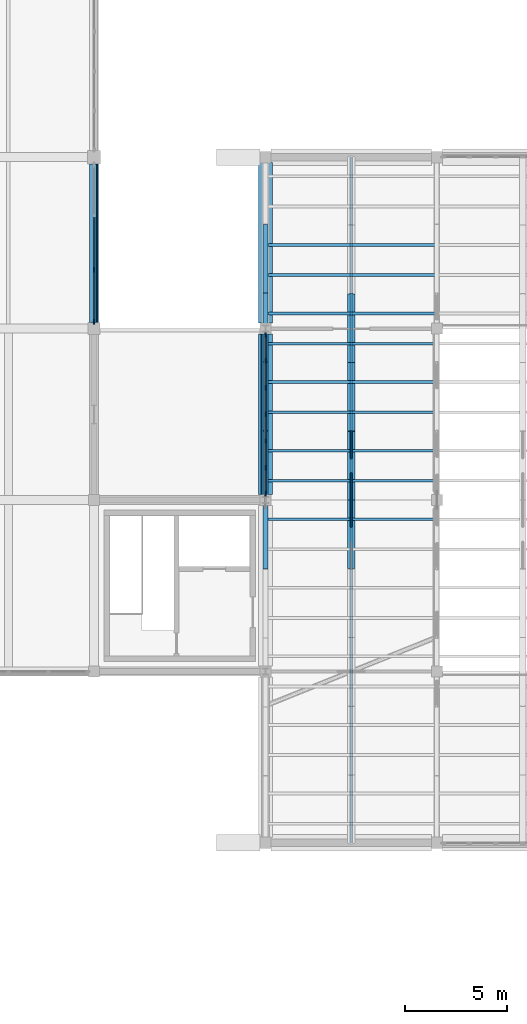
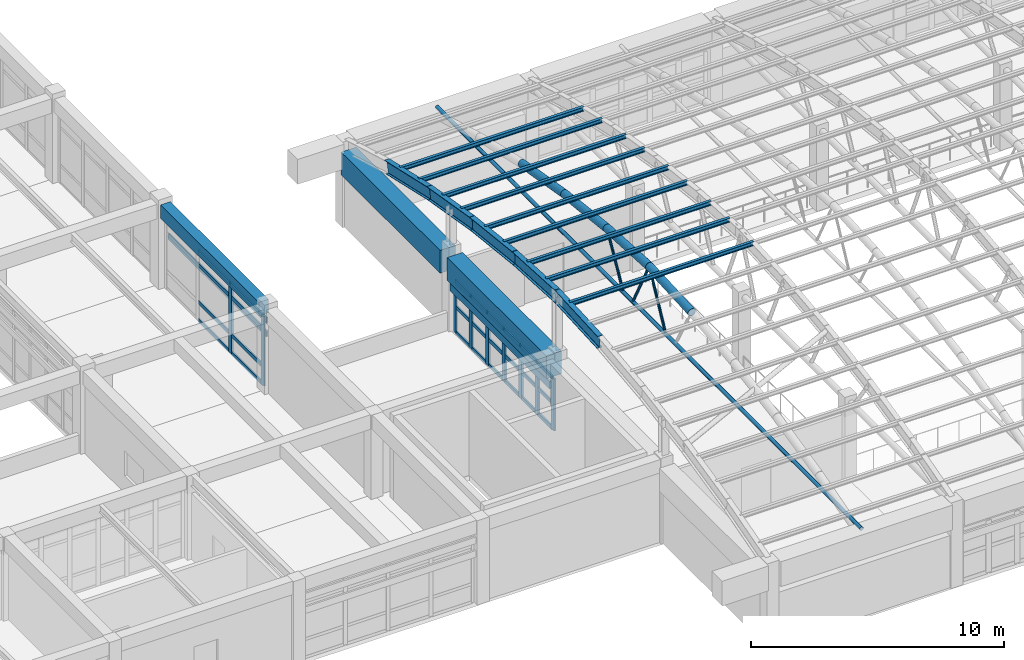
# One storey, part 16 of 74: 55 members, 8 beams, 2 elements without a shape of their own.
"""IFC4 building model written with IfcOpenShell, lengths in metres."""

from ifc_helpers import new_model, si_unit, direction, frame, origin, origin_2d, place, context, subcontext, project, spatial, rectangle, hollow_circle, i_section, extrude, material, layer, layer_set, material_profile, profile_set, type_object, element, aggregate, save


model = new_model("IFC4")

# Units and contexts
model_context = context("Model", 3, precision=1e-05, world=origin(), true_north=direction((0.0, 1.0)))
body_context = subcontext(model_context, "Body", "Model", "MODEL_VIEW")
ifc_project = project(units=[si_unit("LENGTHUNIT", "METRE"), si_unit("AREAUNIT", "SQUARE_METRE"), si_unit("VOLUMEUNIT", "CUBIC_METRE"), si_unit("PLANEANGLEUNIT", "RADIAN"), si_unit("MASSUNIT", "GRAM", prefix="KILO")], contexts=[model_context])

# Site, building, storey
site_placement = place(None, origin())
site = spatial("IfcSite", under=ifc_project, at=site_placement, CompositionType="ELEMENT")
building_placement = place(site_placement, origin())
building = spatial("IfcBuilding", under=site, at=building_placement, Name="Porcellanite Civic Hall", CompositionType="ELEMENT")
storey_placement = place(building_placement, frame((0.0, 0.0, 14.760009765625)))
storey = spatial("IfcBuildingStorey", under=building, at=storey_placement, Name="L03", CompositionType="ELEMENT", Elevation=14.760009765625)

# Members
ifc_material_1 = material(Name="Steel C350L0", Category="steel")
ifc_material_profile_1 = material_profile(ifc_material_1, hollow_circle(Radius=0.177734375, WallThickness=0.0126953125, at=origin_2d()), Name="355.6x12.7CHS")
ifc_profile_set_1 = profile_set([ifc_material_profile_1], Name="Steel C350L0")
member_type_1 = type_object("IfcMemberType", Name="ARCH-355CHS", PredefinedType="RAFTER", material=ifc_profile_set_1)
member_1_placement = place(storey_placement, frame((71.39990234375, 55.43994140625, 6.420166015625), z_axis=(0.0, 0.998438625211, 0.055859750157), x_axis=(-1.0, 0.0, 0.0)))
element("IfcMember", 1, at=member_1_placement, inside=storey, type_object=member_type_1, Name="Chamber secondary arch segment 8 5", PredefinedType="RAFTER", context=body_context, shape_type="SweptSolid", body=[
    extrude(hollow_circle(Radius=0.177734375, WallThickness=0.0126953125, at=origin_2d()), origin(), (0.0, 0.0, 1.0), 3.365478515625),
])
member_2_placement = place(storey_placement, frame((71.39990234375, 58.800048828125, 6.608154296875), z_axis=(0.0, 0.998438398823, -0.055863796475), x_axis=(-1.0, 0.0, 0.0)))
element("IfcMember", 2, at=member_2_placement, inside=storey, type_object=member_type_1, Name="Chamber secondary arch segment 8 6", PredefinedType="RAFTER", context=body_context, shape_type="SweptSolid", body=[
    extrude(hollow_circle(Radius=0.177734375, WallThickness=0.0126953125, at=origin_2d()), origin(), (0.0, 0.0, 1.0), 3.365234375),
])
member_3_placement = place(storey_placement, frame((71.39990234375, 62.159912109375, 6.41552734375), z_axis=(0.0, 0.993766061763, -0.111485490036), x_axis=(-1.0, 0.0, 0.0)))
element("IfcMember", 3, at=member_3_placement, inside=storey, type_object=member_type_1, Name="Chamber secondary arch segment 8 7", PredefinedType="RAFTER", context=body_context, shape_type="SweptSolid", body=[
    extrude(hollow_circle(Radius=0.177734375, WallThickness=0.0126953125, at=origin_2d()), origin(), (0.0, 0.0, 1.0), 3.381103515625),
])
member_4_placement = place(storey_placement, frame((71.39990234375, 65.52001953125, 6.033447265625), z_axis=(0.0, 0.985992126332, -0.166791866742), x_axis=(-1.0, 0.0, 0.0)))
element("IfcMember", 4, at=member_4_placement, inside=storey, type_object=member_type_1, Name="Chamber secondary arch segment 8 8", PredefinedType="RAFTER", context=body_context, shape_type="SweptSolid", body=[
    extrude(hollow_circle(Radius=0.177734375, WallThickness=0.0126953125, at=origin_2d()), origin(), (0.0, 0.0, 1.0), 3.40771484375),
])

# Beam
ifc_material_2 = material(Name="Concrete N50 (50 MPa)", Category="concrete")
ifc_material_profile_2 = material_profile(ifc_material_2, rectangle(XDim=0.449951171875, YDim=0.64990234375, at=origin_2d()), Name="RC-450x650")
ifc_profile_set_2 = profile_set([ifc_material_profile_2], Name="Concrete N50 (50 MPa)")
beam_type_1 = type_object("IfcBeamType", Name="BM-RC650", PredefinedType="SPANDREL", material=ifc_profile_set_2)
beam_1_placement = place(storey_placement, frame((58.800048828125, 67.49951171875, 3.744873046875), z_axis=(0.0, 1.0, 0.0), x_axis=(-1.0, 0.0, 0.0)))
element("IfcBeam", 5, at=beam_1_placement, inside=storey, type_object=beam_type_1, Name="Beam Y L03 8-9", PredefinedType="SPANDREL", context=body_context, shape_type="SweptSolid", body=[
    extrude(rectangle(XDim=0.449951171875, YDim=0.64990234375, at=origin_2d()), origin(), (0.0, 0.0, 1.0), 7.77587890625),
])

# Members
ifc_material_3 = material(Name="Steel C350L0", Category="steel")
ifc_material_profile_3 = material_profile(ifc_material_3, hollow_circle(Radius=0.05712890625, WallThickness=0.006103515625, at=origin_2d()), Name="114.3x6.0CHS")
ifc_profile_set_3 = profile_set([ifc_material_profile_3], Name="Steel C350L0")
member_type_2 = type_object("IfcMemberType", Name="BRC-114CHS", PredefinedType="BRACE", material=ifc_profile_set_3)
for number, where, z_axis, x_axis, name in (
    (6, (71.39990234375, 57.5, 4.11474609375), (0.0, 0.461898880778, 0.886932592668), (-1.0, 0.0, 0.0), "Chamber secondary arch web 8-2"),
    (7, (71.39990234375, 60.10009765625, 4.11474609375), (0.0, -0.461898880778, 0.886932592668), (1.0, 0.0, 0.0), "Chamber secondary arch web 8-3"),
):
    element("IfcMember", number, at=place(storey_placement, frame(where, z_axis=z_axis, x_axis=x_axis)), inside=storey, type_object=member_type_2, Name=name, PredefinedType="BRACE", context=body_context, shape_type="SweptSolid", body=[
        extrude(hollow_circle(Radius=0.05712890625, WallThickness=0.006103515625, at=origin_2d()), origin(), (0.0, 0.0, 1.0), 2.814453125),
    ])
member_5_placement = place(storey_placement, frame((71.39990234375, 60.860107421875, 4.11474609375), z_axis=(0.0, 0.490650607228, 0.871356403332), x_axis=(-1.0, 0.0, 0.0)))
element("IfcMember", 8, at=member_5_placement, inside=storey, type_object=member_type_2, Name="Chamber secondary arch web 8-4", PredefinedType="BRACE", context=body_context, shape_type="SweptSolid", body=[
    extrude(hollow_circle(Radius=0.05712890625, WallThickness=0.006103515625, at=origin_2d()), origin(), (0.0, 0.0, 1.0), 2.649169921875),
])
ifc_material_4 = material(Name="Steel C350L0", Category="steel")
ifc_material_profile_4 = material_profile(ifc_material_4, hollow_circle(Radius=0.084228515625, WallThickness=0.007080078125, at=origin_2d()), Name="168.3x7.1CHS")
ifc_profile_set_4 = profile_set([ifc_material_profile_4], Name="Steel C350L0")
member_type_3 = type_object("IfcMemberType", Name="BRC-168CHS", PredefinedType="BRACE", material=ifc_profile_set_4)
member_6_placement = place(storey_placement, frame((71.39990234375, 42.0, 4.11474609375), z_axis=(0.0, 1.0, 0.0), x_axis=(-1.0, 0.0, 0.0)))
element("IfcMember", 9, at=member_6_placement, inside=storey, type_object=member_type_3, Name="Chamber secondary arch tie 8", PredefinedType="BRACE", context=body_context, shape_type="SweptSolid", body=[
    extrude(hollow_circle(Radius=0.084228515625, WallThickness=0.007080078125, at=origin_2d()), origin(), (0.0, 0.0, 1.0), 33.60009765625),
])

# Curtain wall, members
ifc_material_5 = material(Name="Anodised aluminium and solar laminated glass", Category="aluminium")
ifc_layer_1 = layer(ifc_material_5, 0.179931640625)
ifc_layer_set_1 = layer_set([ifc_layer_1], Name="Anodised aluminium and solar laminated glass")
curtain_wall_type_1 = type_object("IfcCurtainWallType", Name="CW-SYS08", PredefinedType="NOTDEFINED", material=ifc_layer_set_1)
curtain_wall_1_placement = place(storey_placement, origin())
curtain_wall_1 = element("IfcCurtainWall", 10, at=curtain_wall_1_placement, inside=storey, type_object=curtain_wall_type_1, Name="Curtain wall CW-196", PredefinedType="NOTDEFINED")
ifc_material_6 = material(Name="Anodised aluminium 6063-T6", Category="aluminium")
ifc_material_profile_5 = material_profile(ifc_material_6, rectangle(XDim=0.080078125, YDim=0.239990234375, at=origin_2d()), Name="AL-80x240")
ifc_profile_set_5 = profile_set([ifc_material_profile_5], Name="Anodised aluminium 6063-T6")
member_type_4 = type_object("IfcMemberType", Name="CWM-01", PredefinedType="MULLION", material=ifc_profile_set_5)
member_7_placement = place(storey_placement, frame((58.800048828125, 70.092041015625, 0.0), z_axis=(0.0, 0.0, 1.0), x_axis=(1.0, 0.0, 0.0)))
member_7 = element("IfcMember", 11, at=member_7_placement, type_object=member_type_4, Name="CW-196 mullion 3", PredefinedType="MULLION", context=body_context, shape_type="SweptSolid", body=[
    extrude(rectangle(XDim=0.080078125, YDim=0.239990234375, at=origin_2d()), origin(), (0.0, 0.0, 1.0), 3.369873046875),
])
member_8_placement = place(storey_placement, frame((58.800048828125, 67.541015625, 0.0), z_axis=(0.0, 0.0, 1.0), x_axis=(1.0, 0.0, 0.0)))
member_8 = element("IfcMember", 12, at=member_8_placement, type_object=member_type_4, Name="CW-196 mullion 4", PredefinedType="MULLION", context=body_context, shape_type="SweptSolid", body=[
    extrude(rectangle(XDim=0.080078125, YDim=0.239990234375, at=origin_2d()), origin(), (0.0, 0.0, 1.0), 3.369873046875),
])

ifc_material_7 = material(Name="Anodised aluminium and solar laminated glass", Category="aluminium")
ifc_layer_2 = layer(ifc_material_7, 0.179931640625)
ifc_layer_set_2 = layer_set([ifc_layer_2], Name="Anodised aluminium and solar laminated glass")
curtain_wall_type_2 = type_object("IfcCurtainWallType", Name="CW-SYS01", PredefinedType="NOTDEFINED", material=ifc_layer_set_2)
curtain_wall_2_placement = place(storey_placement, origin())
curtain_wall_2 = element("IfcCurtainWall", 13, at=curtain_wall_2_placement, inside=storey, type_object=curtain_wall_type_2, Name="Curtain wall CW-206", PredefinedType="NOTDEFINED")
member_9_placement = place(storey_placement, frame((67.199951171875, 59.115966796875, 0.0), z_axis=(0.0, 0.0, 1.0), x_axis=(-1.0, 0.0, 0.0)))
member_9 = element("IfcMember", 14, at=member_9_placement, type_object=member_type_4, Name="CW-206 mullion 1", PredefinedType="MULLION", context=body_context, shape_type="SweptSolid", body=[
    extrude(rectangle(XDim=0.080078125, YDim=0.239990234375, at=origin_2d()), origin(), (0.0, 0.0, 1.0), 2.52001953125),
])
member_10_placement = place(storey_placement, frame((67.199951171875, 60.384033203125, 0.0), z_axis=(0.0, 0.0, 1.0), x_axis=(-1.0, 0.0, 0.0)))
member_10 = element("IfcMember", 15, at=member_10_placement, type_object=member_type_4, Name="CW-206 mullion 2", PredefinedType="MULLION", context=body_context, shape_type="SweptSolid", body=[
    extrude(rectangle(XDim=0.080078125, YDim=0.239990234375, at=origin_2d()), origin(), (0.0, 0.0, 1.0), 2.52001953125),
])
member_11_placement = place(storey_placement, frame((67.199951171875, 61.69189453125, 0.0), z_axis=(0.0, 0.0, 1.0), x_axis=(-1.0, 0.0, 0.0)))
member_11 = element("IfcMember", 16, at=member_11_placement, type_object=member_type_4, Name="CW-206 mullion 3", PredefinedType="MULLION", context=body_context, shape_type="SweptSolid", body=[
    extrude(rectangle(XDim=0.080078125, YDim=0.239990234375, at=origin_2d()), origin(), (0.0, 0.0, 1.0), 2.52001953125),
])
member_12_placement = place(storey_placement, frame((67.199951171875, 63.0, 0.0), z_axis=(0.0, 0.0, 1.0), x_axis=(-1.0, 0.0, 0.0)))
member_12 = element("IfcMember", 17, at=member_12_placement, type_object=member_type_4, Name="CW-206 mullion 4", PredefinedType="MULLION", context=body_context, shape_type="SweptSolid", body=[
    extrude(rectangle(XDim=0.080078125, YDim=0.239990234375, at=origin_2d()), origin(), (0.0, 0.0, 1.0), 2.52001953125),
])
member_13_placement = place(storey_placement, frame((67.199951171875, 64.30810546875, 0.0), z_axis=(0.0, 0.0, 1.0), x_axis=(-1.0, 0.0, 0.0)))
member_13 = element("IfcMember", 18, at=member_13_placement, type_object=member_type_4, Name="CW-206 mullion 5", PredefinedType="MULLION", context=body_context, shape_type="SweptSolid", body=[
    extrude(rectangle(XDim=0.080078125, YDim=0.239990234375, at=origin_2d()), origin(), (0.0, 0.0, 1.0), 2.52001953125),
])
member_14_placement = place(storey_placement, frame((67.199951171875, 65.615966796875, 0.0), z_axis=(0.0, 0.0, 1.0), x_axis=(-1.0, 0.0, 0.0)))
member_14 = element("IfcMember", 19, at=member_14_placement, type_object=member_type_4, Name="CW-206 mullion 6", PredefinedType="MULLION", context=body_context, shape_type="SweptSolid", body=[
    extrude(rectangle(XDim=0.080078125, YDim=0.239990234375, at=origin_2d()), origin(), (0.0, 0.0, 1.0), 2.52001953125),
])
member_15_placement = place(storey_placement, frame((67.199951171875, 66.884033203125, 0.0), z_axis=(0.0, 0.0, 1.0), x_axis=(-1.0, 0.0, 0.0)))
member_15 = element("IfcMember", 20, at=member_15_placement, type_object=member_type_4, Name="CW-206 mullion 7", PredefinedType="MULLION", context=body_context, shape_type="SweptSolid", body=[
    extrude(rectangle(XDim=0.080078125, YDim=0.239990234375, at=origin_2d()), origin(), (0.0, 0.0, 1.0), 2.52001953125),
])

# Member
ifc_material_8 = material(Name="Anodised aluminium 6063-T6", Category="aluminium")
ifc_material_profile_6 = material_profile(ifc_material_8, rectangle(XDim=0.070068359375, YDim=0.175048828125, at=origin_2d()), Name="AL-70x175")
ifc_profile_set_6 = profile_set([ifc_material_profile_6], Name="Anodised aluminium 6063-T6")
member_type_5 = type_object("IfcMemberType", Name="CWT-01", PredefinedType="USERDEFINED", material=ifc_profile_set_6)
member_16_placement = place(storey_placement, frame((58.800048828125, 72.64306640625, 0.034912109375), z_axis=(0.0, -1.0, 0.0), x_axis=(1.0, 0.0, 0.0)))
member_16 = element("IfcMember", 21, at=member_16_placement, type_object=member_type_5, Name="CW-196 transom 2.1", ObjectType="TRANSOM", PredefinedType="USERDEFINED", context=body_context, shape_type="SweptSolid", body=[
    extrude(rectangle(XDim=0.070068359375, YDim=0.175048828125, at=origin_2d()), origin(), (0.0, 0.0, 1.0), 2.510986328125),
])

member_17_placement = place(storey_placement, frame((58.800048828125, 72.64306640625, 0.89990234375), z_axis=(0.0, -1.0, 0.0), x_axis=(1.0, 0.0, 0.0)))
member_17 = element("IfcMember", 22, at=member_17_placement, type_object=member_type_5, Name="CW-196 transom 2.2", ObjectType="TRANSOM", PredefinedType="USERDEFINED", context=body_context, shape_type="SweptSolid", body=[
    extrude(rectangle(XDim=0.070068359375, YDim=0.175048828125, at=origin_2d()), origin(), (0.0, 0.0, 1.0), 2.510986328125),
])

member_18_placement = place(storey_placement, frame((58.800048828125, 72.64306640625, 2.719970703125), z_axis=(0.0, -1.0, 0.0), x_axis=(1.0, 0.0, 0.0)))
member_18 = element("IfcMember", 23, at=member_18_placement, type_object=member_type_5, Name="CW-196 transom 2.3", ObjectType="TRANSOM", PredefinedType="USERDEFINED", context=body_context, shape_type="SweptSolid", body=[
    extrude(rectangle(XDim=0.070068359375, YDim=0.175048828125, at=origin_2d()), origin(), (0.0, 0.0, 1.0), 2.510986328125),
])

member_19_placement = place(storey_placement, frame((58.800048828125, 72.64306640625, 3.3349609375), z_axis=(0.0, -1.0, 0.0), x_axis=(1.0, 0.0, 0.0)))
member_19 = element("IfcMember", 24, at=member_19_placement, type_object=member_type_5, Name="CW-196 transom 2.4", ObjectType="TRANSOM", PredefinedType="USERDEFINED", context=body_context, shape_type="SweptSolid", body=[
    extrude(rectangle(XDim=0.070068359375, YDim=0.175048828125, at=origin_2d()), origin(), (0.0, 0.0, 1.0), 2.510986328125),
])

member_20_placement = place(storey_placement, frame((58.800048828125, 70.052001953125, 0.034912109375), z_axis=(0.0, -1.0, 0.0), x_axis=(1.0, 0.0, 0.0)))
member_20 = element("IfcMember", 25, at=member_20_placement, type_object=member_type_5, Name="CW-196 transom 3.1", ObjectType="TRANSOM", PredefinedType="USERDEFINED", context=body_context, shape_type="SweptSolid", body=[
    extrude(rectangle(XDim=0.070068359375, YDim=0.175048828125, at=origin_2d()), origin(), (0.0, 0.0, 1.0), 2.470947265625),
])

member_21_placement = place(storey_placement, frame((58.800048828125, 70.052001953125, 0.89990234375), z_axis=(0.0, -1.0, 0.0), x_axis=(1.0, 0.0, 0.0)))
member_21 = element("IfcMember", 26, at=member_21_placement, type_object=member_type_5, Name="CW-196 transom 3.2", ObjectType="TRANSOM", PredefinedType="USERDEFINED", context=body_context, shape_type="SweptSolid", body=[
    extrude(rectangle(XDim=0.070068359375, YDim=0.175048828125, at=origin_2d()), origin(), (0.0, 0.0, 1.0), 2.470947265625),
])

member_22_placement = place(storey_placement, frame((58.800048828125, 70.052001953125, 2.719970703125), z_axis=(0.0, -1.0, 0.0), x_axis=(1.0, 0.0, 0.0)))
member_22 = element("IfcMember", 27, at=member_22_placement, type_object=member_type_5, Name="CW-196 transom 3.3", ObjectType="TRANSOM", PredefinedType="USERDEFINED", context=body_context, shape_type="SweptSolid", body=[
    extrude(rectangle(XDim=0.070068359375, YDim=0.175048828125, at=origin_2d()), origin(), (0.0, 0.0, 1.0), 2.470947265625),
])

member_23_placement = place(storey_placement, frame((58.800048828125, 70.052001953125, 3.3349609375), z_axis=(0.0, -1.0, 0.0), x_axis=(1.0, 0.0, 0.0)))
member_23 = element("IfcMember", 28, at=member_23_placement, type_object=member_type_5, Name="CW-196 transom 3.4", ObjectType="TRANSOM", PredefinedType="USERDEFINED", context=body_context, shape_type="SweptSolid", body=[
    extrude(rectangle(XDim=0.070068359375, YDim=0.175048828125, at=origin_2d()), origin(), (0.0, 0.0, 1.0), 2.470947265625),
])

aggregate(curtain_wall_1, [member_7, member_8, member_16, member_17, member_18, member_19, member_20, member_21, member_22, member_23])

member_24_placement = place(storey_placement, frame((67.199951171875, 59.156005859375, 0.034912109375), z_axis=(0.0, 1.0, 0.0), x_axis=(-1.0, 0.0, 0.0)))
member_24 = element("IfcMember", 29, at=member_24_placement, type_object=member_type_5, Name="CW-206 transom 1.1", ObjectType="TRANSOM", PredefinedType="USERDEFINED", context=body_context, shape_type="SweptSolid", body=[
    extrude(rectangle(XDim=0.070068359375, YDim=0.175048828125, at=origin_2d()), origin(), (0.0, 0.0, 1.0), 1.18798828125),
])

member_25_placement = place(storey_placement, frame((67.199951171875, 59.156005859375, 1.260009765625), z_axis=(0.0, 1.0, 0.0), x_axis=(-1.0, 0.0, 0.0)))
member_25 = element("IfcMember", 30, at=member_25_placement, type_object=member_type_5, Name="CW-206 transom 1.2", ObjectType="TRANSOM", PredefinedType="USERDEFINED", context=body_context, shape_type="SweptSolid", body=[
    extrude(rectangle(XDim=0.070068359375, YDim=0.175048828125, at=origin_2d()), origin(), (0.0, 0.0, 1.0), 1.18798828125),
])

member_26_placement = place(storey_placement, frame((67.199951171875, 59.156005859375, 2.485107421875), z_axis=(0.0, 1.0, 0.0), x_axis=(-1.0, 0.0, 0.0)))
member_26 = element("IfcMember", 31, at=member_26_placement, type_object=member_type_5, Name="CW-206 transom 1.3", ObjectType="TRANSOM", PredefinedType="USERDEFINED", context=body_context, shape_type="SweptSolid", body=[
    extrude(rectangle(XDim=0.070068359375, YDim=0.175048828125, at=origin_2d()), origin(), (0.0, 0.0, 1.0), 1.18798828125),
])

member_27_placement = place(storey_placement, frame((67.199951171875, 60.424072265625, 0.034912109375), z_axis=(0.0, 1.0, 0.0), x_axis=(-1.0, 0.0, 0.0)))
member_27 = element("IfcMember", 32, at=member_27_placement, type_object=member_type_5, Name="CW-206 transom 2.1", ObjectType="TRANSOM", PredefinedType="USERDEFINED", context=body_context, shape_type="SweptSolid", body=[
    extrude(rectangle(XDim=0.070068359375, YDim=0.175048828125, at=origin_2d()), origin(), (0.0, 0.0, 1.0), 1.22802734375),
])

member_28_placement = place(storey_placement, frame((67.199951171875, 60.424072265625, 1.260009765625), z_axis=(0.0, 1.0, 0.0), x_axis=(-1.0, 0.0, 0.0)))
member_28 = element("IfcMember", 33, at=member_28_placement, type_object=member_type_5, Name="CW-206 transom 2.2", ObjectType="TRANSOM", PredefinedType="USERDEFINED", context=body_context, shape_type="SweptSolid", body=[
    extrude(rectangle(XDim=0.070068359375, YDim=0.175048828125, at=origin_2d()), origin(), (0.0, 0.0, 1.0), 1.22802734375),
])

member_29_placement = place(storey_placement, frame((67.199951171875, 60.424072265625, 2.485107421875), z_axis=(0.0, 1.0, 0.0), x_axis=(-1.0, 0.0, 0.0)))
member_29 = element("IfcMember", 34, at=member_29_placement, type_object=member_type_5, Name="CW-206 transom 2.3", ObjectType="TRANSOM", PredefinedType="USERDEFINED", context=body_context, shape_type="SweptSolid", body=[
    extrude(rectangle(XDim=0.070068359375, YDim=0.175048828125, at=origin_2d()), origin(), (0.0, 0.0, 1.0), 1.22802734375),
])

member_30_placement = place(storey_placement, frame((67.199951171875, 61.73193359375, 0.034912109375), z_axis=(0.0, 1.0, 0.0), x_axis=(-1.0, 0.0, 0.0)))
member_30 = element("IfcMember", 35, at=member_30_placement, type_object=member_type_5, Name="CW-206 transom 3.1", ObjectType="TRANSOM", PredefinedType="USERDEFINED", context=body_context, shape_type="SweptSolid", body=[
    extrude(rectangle(XDim=0.070068359375, YDim=0.175048828125, at=origin_2d()), origin(), (0.0, 0.0, 1.0), 1.22802734375),
])

member_31_placement = place(storey_placement, frame((67.199951171875, 61.73193359375, 1.260009765625), z_axis=(0.0, 1.0, 0.0), x_axis=(-1.0, 0.0, 0.0)))
member_31 = element("IfcMember", 36, at=member_31_placement, type_object=member_type_5, Name="CW-206 transom 3.2", ObjectType="TRANSOM", PredefinedType="USERDEFINED", context=body_context, shape_type="SweptSolid", body=[
    extrude(rectangle(XDim=0.070068359375, YDim=0.175048828125, at=origin_2d()), origin(), (0.0, 0.0, 1.0), 1.22802734375),
])

member_32_placement = place(storey_placement, frame((67.199951171875, 61.73193359375, 2.485107421875), z_axis=(0.0, 1.0, 0.0), x_axis=(-1.0, 0.0, 0.0)))
member_32 = element("IfcMember", 37, at=member_32_placement, type_object=member_type_5, Name="CW-206 transom 3.3", ObjectType="TRANSOM", PredefinedType="USERDEFINED", context=body_context, shape_type="SweptSolid", body=[
    extrude(rectangle(XDim=0.070068359375, YDim=0.175048828125, at=origin_2d()), origin(), (0.0, 0.0, 1.0), 1.22802734375),
])

member_33_placement = place(storey_placement, frame((67.199951171875, 63.0400390625, 0.034912109375), z_axis=(0.0, 1.0, 0.0), x_axis=(-1.0, 0.0, 0.0)))
member_33 = element("IfcMember", 38, at=member_33_placement, type_object=member_type_5, Name="CW-206 transom 4.1", ObjectType="TRANSOM", PredefinedType="USERDEFINED", context=body_context, shape_type="SweptSolid", body=[
    extrude(rectangle(XDim=0.070068359375, YDim=0.175048828125, at=origin_2d()), origin(), (0.0, 0.0, 1.0), 1.22802734375),
])

member_34_placement = place(storey_placement, frame((67.199951171875, 63.0400390625, 1.260009765625), z_axis=(0.0, 1.0, 0.0), x_axis=(-1.0, 0.0, 0.0)))
member_34 = element("IfcMember", 39, at=member_34_placement, type_object=member_type_5, Name="CW-206 transom 4.2", ObjectType="TRANSOM", PredefinedType="USERDEFINED", context=body_context, shape_type="SweptSolid", body=[
    extrude(rectangle(XDim=0.070068359375, YDim=0.175048828125, at=origin_2d()), origin(), (0.0, 0.0, 1.0), 1.22802734375),
])

member_35_placement = place(storey_placement, frame((67.199951171875, 63.0400390625, 2.485107421875), z_axis=(0.0, 1.0, 0.0), x_axis=(-1.0, 0.0, 0.0)))
member_35 = element("IfcMember", 40, at=member_35_placement, type_object=member_type_5, Name="CW-206 transom 4.3", ObjectType="TRANSOM", PredefinedType="USERDEFINED", context=body_context, shape_type="SweptSolid", body=[
    extrude(rectangle(XDim=0.070068359375, YDim=0.175048828125, at=origin_2d()), origin(), (0.0, 0.0, 1.0), 1.22802734375),
])

member_36_placement = place(storey_placement, frame((67.199951171875, 64.347900390625, 0.034912109375), z_axis=(0.0, 1.0, 0.0), x_axis=(-1.0, 0.0, 0.0)))
member_36 = element("IfcMember", 41, at=member_36_placement, type_object=member_type_5, Name="CW-206 transom 5.1", ObjectType="TRANSOM", PredefinedType="USERDEFINED", context=body_context, shape_type="SweptSolid", body=[
    extrude(rectangle(XDim=0.070068359375, YDim=0.175048828125, at=origin_2d()), origin(), (0.0, 0.0, 1.0), 1.22802734375),
])

member_37_placement = place(storey_placement, frame((67.199951171875, 64.347900390625, 1.260009765625), z_axis=(0.0, 1.0, 0.0), x_axis=(-1.0, 0.0, 0.0)))
member_37 = element("IfcMember", 42, at=member_37_placement, type_object=member_type_5, Name="CW-206 transom 5.2", ObjectType="TRANSOM", PredefinedType="USERDEFINED", context=body_context, shape_type="SweptSolid", body=[
    extrude(rectangle(XDim=0.070068359375, YDim=0.175048828125, at=origin_2d()), origin(), (0.0, 0.0, 1.0), 1.22802734375),
])

member_38_placement = place(storey_placement, frame((67.199951171875, 64.347900390625, 2.485107421875), z_axis=(0.0, 1.0, 0.0), x_axis=(-1.0, 0.0, 0.0)))
member_38 = element("IfcMember", 43, at=member_38_placement, type_object=member_type_5, Name="CW-206 transom 5.3", ObjectType="TRANSOM", PredefinedType="USERDEFINED", context=body_context, shape_type="SweptSolid", body=[
    extrude(rectangle(XDim=0.070068359375, YDim=0.175048828125, at=origin_2d()), origin(), (0.0, 0.0, 1.0), 1.22802734375),
])

member_39_placement = place(storey_placement, frame((67.199951171875, 65.656005859375, 0.034912109375), z_axis=(0.0, 1.0, 0.0), x_axis=(-1.0, 0.0, 0.0)))
member_39 = element("IfcMember", 44, at=member_39_placement, type_object=member_type_5, Name="CW-206 transom 6.1", ObjectType="TRANSOM", PredefinedType="USERDEFINED", context=body_context, shape_type="SweptSolid", body=[
    extrude(rectangle(XDim=0.070068359375, YDim=0.175048828125, at=origin_2d()), origin(), (0.0, 0.0, 1.0), 1.18798828125),
])

member_40_placement = place(storey_placement, frame((67.199951171875, 65.656005859375, 1.260009765625), z_axis=(0.0, 1.0, 0.0), x_axis=(-1.0, 0.0, 0.0)))
member_40 = element("IfcMember", 45, at=member_40_placement, type_object=member_type_5, Name="CW-206 transom 6.2", ObjectType="TRANSOM", PredefinedType="USERDEFINED", context=body_context, shape_type="SweptSolid", body=[
    extrude(rectangle(XDim=0.070068359375, YDim=0.175048828125, at=origin_2d()), origin(), (0.0, 0.0, 1.0), 1.18798828125),
])

member_41_placement = place(storey_placement, frame((67.199951171875, 65.656005859375, 2.485107421875), z_axis=(0.0, 1.0, 0.0), x_axis=(-1.0, 0.0, 0.0)))
member_41 = element("IfcMember", 46, at=member_41_placement, type_object=member_type_5, Name="CW-206 transom 6.3", ObjectType="TRANSOM", PredefinedType="USERDEFINED", context=body_context, shape_type="SweptSolid", body=[
    extrude(rectangle(XDim=0.070068359375, YDim=0.175048828125, at=origin_2d()), origin(), (0.0, 0.0, 1.0), 1.18798828125),
])

aggregate(curtain_wall_2, [member_9, member_10, member_11, member_12, member_13, member_14, member_15, member_24, member_25, member_26, member_27, member_28, member_29, member_30, member_31, member_32, member_33, member_34, member_35, member_36, member_37, member_38, member_39, member_40, member_41])

# Beams
ifc_material_9 = material(Name="Concrete N50 (50 MPa)", Category="concrete")
ifc_material_profile_7 = material_profile(ifc_material_9, rectangle(XDim=0.699951171875, YDim=1.10009765625, at=origin_2d()), Name="RC-700x1100")
ifc_profile_set_7 = profile_set([ifc_material_profile_7], Name="Concrete N50 (50 MPa)")
beam_type_2 = type_object("IfcBeamType", Name="EB-CH2", PredefinedType="BEAM", material=ifc_profile_set_7)
beam_2_placement = place(storey_placement, frame((67.199951171875, 59.074462890625, 3.144775390625), z_axis=(0.0, 1.0, 0.0), x_axis=(-1.0, 0.0, 0.0)))
element("IfcBeam", 47, at=beam_2_placement, inside=storey, type_object=beam_type_2, Name="Chamber end ring beam W 7", PredefinedType="BEAM", context=body_context, shape_type="SweptSolid", body=[
    extrude(rectangle(XDim=0.699951171875, YDim=1.10009765625, at=origin_2d()), origin(), (0.0, 0.0, 1.0), 7.85107421875),
])
beam_3_placement = place(storey_placement, frame((67.199951171875, 67.474609375, 3.144775390625), z_axis=(0.0, 1.0, 0.0), x_axis=(-1.0, 0.0, 0.0)))
element("IfcBeam", 48, at=beam_3_placement, inside=storey, type_object=beam_type_2, Name="Chamber end ring beam W 8", PredefinedType="BEAM", context=body_context, shape_type="SweptSolid", body=[
    extrude(rectangle(XDim=0.699951171875, YDim=1.10009765625, at=origin_2d()), origin(), (0.0, 0.0, 1.0), 7.850830078125),
])

# Members
ifc_material_10 = material(Name="Fluoropolymer bauxite-red aluminium 6063-T6", Category="aluminium")
ifc_material_profile_8 = material_profile(ifc_material_10, rectangle(XDim=0.090087890625, YDim=0.360107421875, at=origin_2d()), Name="AL-90x360")
ifc_profile_set_8 = profile_set([ifc_material_profile_8], Name="Fluoropolymer bauxite-red aluminium 6063-T6")
member_type_6 = type_object("IfcMemberType", Name="LV-BLD01", PredefinedType="USERDEFINED", material=ifc_profile_set_8)
member_42_placement = place(storey_placement, frame((67.032958984375, 59.074462890625, 2.219970703125), z_axis=(0.0, 1.0, 0.0), x_axis=(-1.0, 0.0, 0.0)))
element("IfcMember", 49, at=member_42_placement, inside=storey, type_object=member_type_6, Name="Cyclone sunshade louvre L03 W 8-7 1", ObjectType="LOUVRE BLADE", PredefinedType="USERDEFINED", context=body_context, shape_type="SweptSolid", body=[
    extrude(rectangle(XDim=0.090087890625, YDim=0.360107421875, at=origin_2d()), origin(), (0.0, 0.0, 1.0), 7.85107421875),
])
ifc_material_11 = material(Name="Fluoropolymer bauxite-red aluminium 6063-T6", Category="aluminium")
ifc_material_profile_9 = material_profile(ifc_material_11, rectangle(XDim=0.070068359375, YDim=0.280029296875, at=origin_2d()), Name="AL-70x280")
ifc_profile_set_9 = profile_set([ifc_material_profile_9], Name="Fluoropolymer bauxite-red aluminium 6063-T6")
member_type_7 = type_object("IfcMemberType", Name="LV-BLD05", PredefinedType="USERDEFINED", material=ifc_profile_set_9)
for number, where, z_axis, x_axis, name in (
    (50, (58.95703125, 75.275390625, 3.070068359375), (0.0, -1.0, 0.0), (1.0, 0.0, 0.0), "Cyclone sunshade louvre L03 E 6-8 1"),
    (51, (58.95703125, 75.275390625, 2.419921875), (0.0, -1.0, 0.0), (1.0, 0.0, 0.0), "Cyclone sunshade louvre L03 E 6-8 2"),
):
    element("IfcMember", number, at=place(storey_placement, frame(where, z_axis=z_axis, x_axis=x_axis)), inside=storey, type_object=member_type_7, Name=name, ObjectType="LOUVRE BLADE", PredefinedType="USERDEFINED", context=body_context, shape_type="SweptSolid", body=[
        extrude(rectangle(XDim=0.070068359375, YDim=0.280029296875, at=origin_2d()), origin(), (0.0, 0.0, 1.0), 7.77587890625),
    ])
ifc_material_12 = material(Name="Steel Grade 350", Category="steel")
ifc_material_profile_10 = material_profile(ifc_material_12, i_section(OverallWidth=0.133056640625, OverallDepth=0.202880859375, WebThickness=0.005859375, FlangeThickness=0.0078125, FilletRadius=0.0087890625, at=origin_2d()), Name="200UB25.4")
ifc_profile_set_10 = profile_set([ifc_material_profile_10], Name="Steel Grade 350")
member_type_8 = type_object("IfcMemberType", Name="PUR-200UB25", PredefinedType="PURLIN", material=ifc_profile_set_10)
for number, where, z_axis, x_axis, name in (
    (52, (67.20654296875, 57.859130859375, 6.833740234375), (1.0, 0.0, 0.0), (0.0, 1.0, 0.0), "Chamber shell purlin 8 5B"),
    (53, (67.20654296875, 59.74072265625, 6.833740234375), (1.0, 0.0, 0.0), (0.0, 1.0, 0.0), "Chamber shell purlin 8 6A"),
    (54, (67.20654296875, 61.21923828125, 6.7509765625), (1.0, 0.0, 0.0), (0.0, 1.0, 0.0), "Chamber shell purlin 8 6B"),
    (55, (67.20654296875, 63.100830078125, 6.58837890625), (1.0, 0.0, 0.0), (0.0, 1.0, 0.0), "Chamber shell purlin 8 7A"),
    (56, (67.20654296875, 64.5791015625, 6.422607421875), (1.0, 0.0, 0.0), (0.0, 1.0, 0.0), "Chamber shell purlin 8 7B"),
    (57, (67.20654296875, 66.460693359375, 6.152587890625), (1.0, 0.0, 0.0), (0.0, 1.0, 0.0), "Chamber shell purlin 8 8A"),
    (58, (67.20654296875, 67.939208984375, 5.902587890625), (1.0, 0.0, 0.0), (0.0, 1.0, 0.0), "Chamber shell purlin 8 8B"),
    (59, (67.20654296875, 69.82080078125, 5.523681640625), (1.0, 0.0, 0.0), (0.0, 1.0, 0.0), "Chamber shell purlin 8 9A"),
    (60, (67.20654296875, 71.29931640625, 5.18798828125), (1.0, 0.0, 0.0), (0.0, 1.0, 0.0), "Chamber shell purlin 8 9B"),
):
    element("IfcMember", number, at=place(storey_placement, frame(where, z_axis=z_axis, x_axis=x_axis)), inside=storey, type_object=member_type_8, Name=name, PredefinedType="PURLIN", context=body_context, shape_type="SweptSolid", body=[
        extrude(i_section(OverallWidth=0.133056640625, OverallDepth=0.202880859375, WebThickness=0.005859375, FlangeThickness=0.0078125, FilletRadius=0.0087890625, at=origin_2d()), origin(), (0.0, 0.0, 1.0), 8.386962890625),
    ])

# Beams
ifc_material_13 = material(Name="Steel Grade 350", Category="steel")
ifc_material_profile_11 = material_profile(ifc_material_13, i_section(OverallWidth=0.22900390625, OverallDepth=0.612060546875, WebThickness=0.011962890625, FlangeThickness=0.01953125, FilletRadius=0.013916015625, at=origin_2d()), Name="610UB125")
ifc_profile_set_11 = profile_set([ifc_material_profile_11], Name="Steel Grade 350")
beam_type_3 = type_object("IfcBeamType", Name="RIB-610UB125", PredefinedType="BEAM", material=ifc_profile_set_11)
beam_4_placement = place(storey_placement, frame((67.199951171875, 55.43994140625, 6.4599609375), z_axis=(0.0, 0.998442668633, 0.055787430951), x_axis=(-1.0, 0.0, 0.0)))
element("IfcBeam", 61, at=beam_4_placement, inside=storey, type_object=beam_type_3, Name="Chamber steel arch rib 8 seg 5", PredefinedType="BEAM", context=body_context, shape_type="SweptSolid", body=[
    extrude(i_section(OverallWidth=0.22900390625, OverallDepth=0.612060546875, WebThickness=0.011962890625, FlangeThickness=0.01953125, FilletRadius=0.013916015625, at=origin_2d()), origin(), (0.0, 0.0, 1.0), 3.365234375),
])
beam_5_placement = place(storey_placement, frame((67.199951171875, 58.800048828125, 6.647705078125), z_axis=(0.0, 0.99844244283, -0.055791472063), x_axis=(-1.0, 0.0, 0.0)))
element("IfcBeam", 62, at=beam_5_placement, inside=storey, type_object=beam_type_3, Name="Chamber steel arch rib 8 seg 6", PredefinedType="BEAM", context=body_context, shape_type="SweptSolid", body=[
    extrude(i_section(OverallWidth=0.22900390625, OverallDepth=0.612060546875, WebThickness=0.011962890625, FlangeThickness=0.01953125, FilletRadius=0.013916015625, at=origin_2d()), origin(), (0.0, 0.0, 1.0), 3.364990234375),
])
beam_6_placement = place(storey_placement, frame((67.199951171875, 62.159912109375, 6.4599609375), z_axis=(0.0, 0.993766061763, -0.111485490036), x_axis=(-1.0, 0.0, 0.0)))
element("IfcBeam", 63, at=beam_6_placement, inside=storey, type_object=beam_type_3, Name="Chamber steel arch rib 8 seg 7", PredefinedType="BEAM", context=body_context, shape_type="SweptSolid", body=[
    extrude(i_section(OverallWidth=0.22900390625, OverallDepth=0.612060546875, WebThickness=0.011962890625, FlangeThickness=0.01953125, FilletRadius=0.013916015625, at=origin_2d()), origin(), (0.0, 0.0, 1.0), 3.381103515625),
])
beam_7_placement = place(storey_placement, frame((67.199951171875, 65.52001953125, 6.0830078125), z_axis=(0.0, 0.985992126332, -0.166791866742), x_axis=(-1.0, 0.0, 0.0)))
element("IfcBeam", 64, at=beam_7_placement, inside=storey, type_object=beam_type_3, Name="Chamber steel arch rib 8 seg 8", PredefinedType="BEAM", context=body_context, shape_type="SweptSolid", body=[
    extrude(i_section(OverallWidth=0.22900390625, OverallDepth=0.612060546875, WebThickness=0.011962890625, FlangeThickness=0.01953125, FilletRadius=0.013916015625, at=origin_2d()), origin(), (0.0, 0.0, 1.0), 3.40771484375),
])
beam_8_placement = place(storey_placement, frame((67.199951171875, 68.8798828125, 5.5146484375), z_axis=(0.0, 0.975162775381, -0.22148941625), x_axis=(-1.0, 0.0, 0.0)))
element("IfcBeam", 65, at=beam_8_placement, inside=storey, type_object=beam_type_3, Name="Chamber steel arch rib 8 seg 9", PredefinedType="BEAM", context=body_context, shape_type="SweptSolid", body=[
    extrude(i_section(OverallWidth=0.22900390625, OverallDepth=0.612060546875, WebThickness=0.011962890625, FlangeThickness=0.01953125, FilletRadius=0.013916015625, at=origin_2d()), origin(), (0.0, 0.0, 1.0), 3.44580078125),
])

save(model, "model.ifc")
